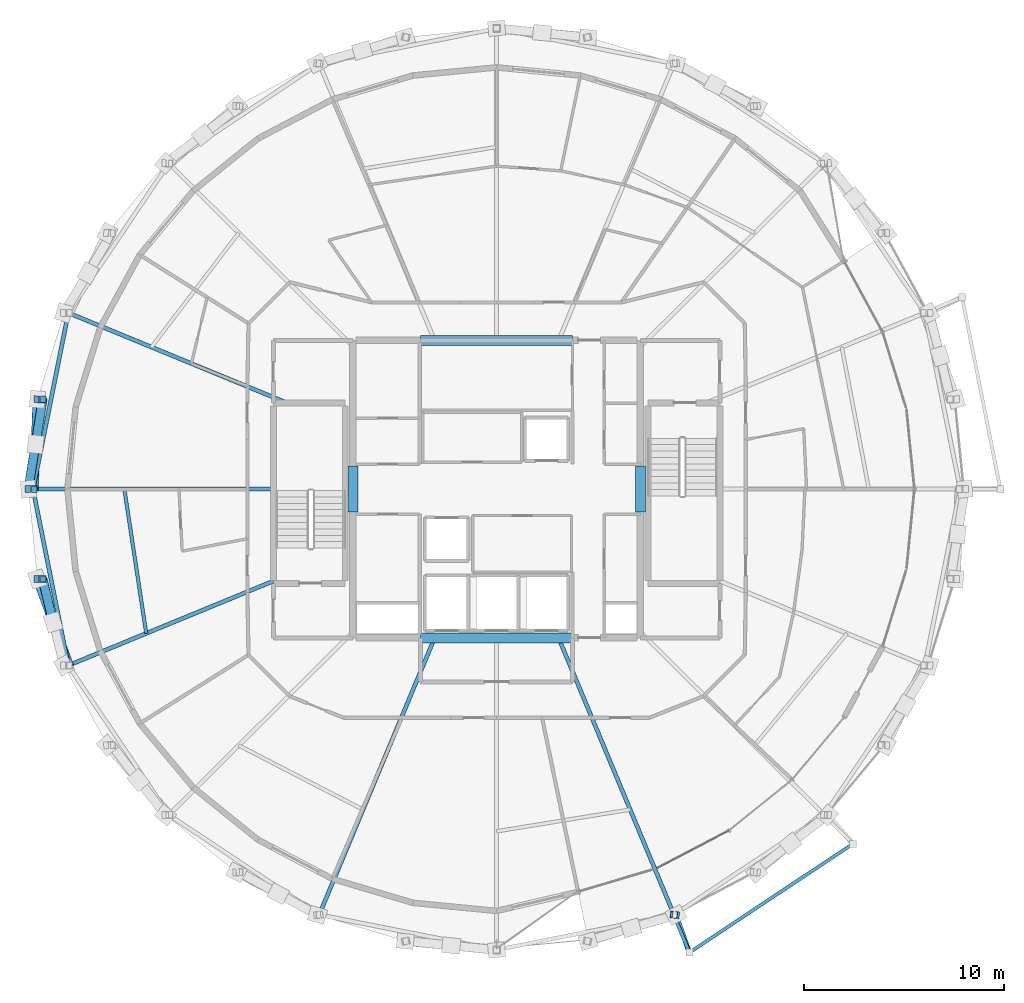
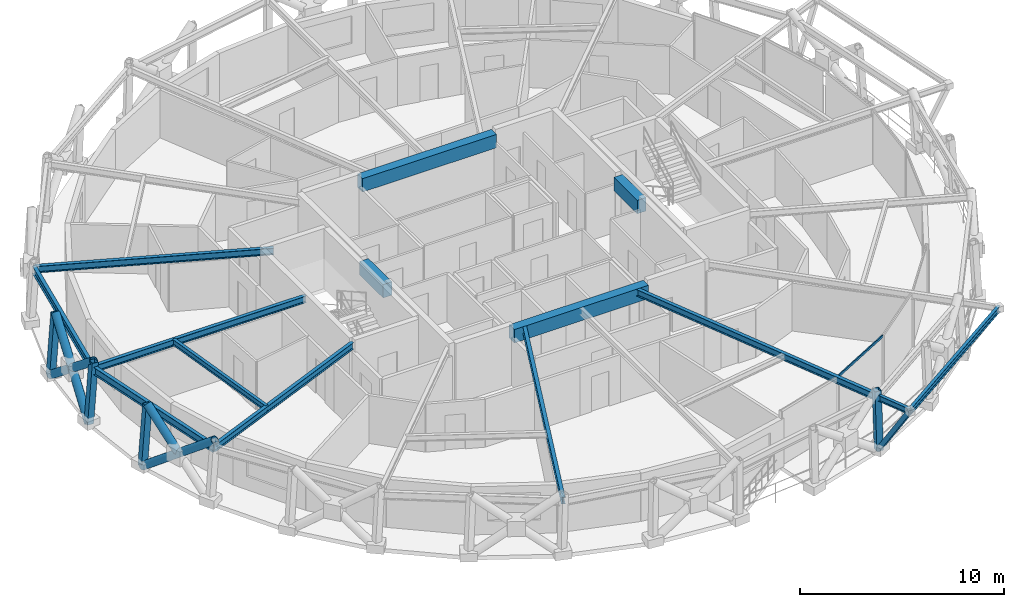
# One storey, part 3 of 18: 14 beams, 11 members, 1 element without a shape of its own.
"""IFC4 building model written with IfcOpenShell, lengths in metres."""

from ifc_helpers import new_model, si_unit, direction, frame, origin, origin_2d, place, context, subcontext, project, spatial, rectangle, hollow_rectangle, hollow_circle, i_section, extrude, material, layer, layer_set, material_profile, profile_set, type_object, element, aggregate, save


model = new_model("IFC4")

# Units and contexts
model_context = context("Model", 3, precision=1e-05, world=origin(), true_north=direction((0.0, 1.0)))
body_context = subcontext(model_context, "Body", "Model", "MODEL_VIEW")
ifc_project = project(units=[si_unit("LENGTHUNIT", "METRE"), si_unit("AREAUNIT", "SQUARE_METRE"), si_unit("VOLUMEUNIT", "CUBIC_METRE"), si_unit("PLANEANGLEUNIT", "RADIAN"), si_unit("MASSUNIT", "GRAM", prefix="KILO")], contexts=[model_context])

# Site, building, storey
site_placement = place(None, origin())
site = spatial("IfcSite", under=ifc_project, at=site_placement, CompositionType="ELEMENT")
building_placement = place(site_placement, origin())
building = spatial("IfcBuilding", under=site, at=building_placement, Name="Veldorina Hangang Commons", CompositionType="ELEMENT")
storey_placement = place(building_placement, frame((0.0, 0.0, 243.60009765625)))
storey = spatial("IfcBuildingStorey", under=building, at=storey_placement, Name="L63", CompositionType="ELEMENT", Elevation=243.60009765625)

# Beams
ifc_material_1 = material(Name="Concrete C50/60", Category="concrete")
ifc_material_profile_1 = material_profile(ifc_material_1, rectangle(XDim=0.5, YDim=0.800048828125, at=origin_2d()), Name="RC-CB-500x800")
ifc_profile_set_1 = profile_set([ifc_material_profile_1], Name="Concrete C50/60")
beam_type_1 = type_object("IfcBeamType", Name="BM-CB800", PredefinedType="LINTEL", material=ifc_profile_set_1)
for number, where, z_axis, x_axis, name in (
    (1, (24.800048828125, 22.85009765625, 2.9599609375), (0.0, 1.0, 0.0), (-1.0, 0.0, 0.0), "L63 W core coupling lintel beam"),
    (2, (39.199951171875, 22.85009765625, 2.9599609375), (0.0, 1.0, 0.0), (-1.0, 0.0, 0.0), "L63 E core coupling lintel beam"),
):
    element("IfcBeam", number, at=place(storey_placement, frame(where, z_axis=z_axis, x_axis=x_axis)), inside=storey, type_object=beam_type_1, Name=name, PredefinedType="LINTEL", context=body_context, shape_type="SweptSolid", body=[
        extrude(rectangle(XDim=0.5, YDim=0.800048828125, at=origin_2d()), origin(), (0.0, 0.0, 1.0), 2.2998046875),
    ])
for number, where, z_axis, x_axis, name in (
    (3, (28.199951171875, 16.550048828125, 2.9599609375), (1.0, 0.0, 0.0), (0.0, 1.0, 0.0), "L63 south core coupling beam"),
    (4, (28.199951171875, 31.449951171875, 2.9599609375), (1.0, 0.0, 0.0), (0.0, 1.0, 0.0), "L63 north core coupling beam"),
):
    element("IfcBeam", number, at=place(storey_placement, frame(where, z_axis=z_axis, x_axis=x_axis)), inside=storey, type_object=beam_type_1, Name=name, PredefinedType="LINTEL", context=body_context, shape_type="SweptSolid", body=[
        extrude(rectangle(XDim=0.5, YDim=0.800048828125, at=origin_2d()), origin(), (0.0, 0.0, 1.0), 7.60009765625),
    ])
ifc_material_2 = material(Name="Steel SM355-TMC", Category="steel")
ifc_material_profile_2 = material_profile(ifc_material_2, i_section(OverallWidth=0.175048828125, OverallDepth=0.35009765625, WebThickness=0.007080078125, FlangeThickness=0.010986328125, FilletRadius=0.012939453125, at=origin_2d()), Name="H-350x175x7x11")
ifc_profile_set_2 = profile_set([ifc_material_profile_2], Name="Steel SM355-TMC")
beam_type_2 = type_object("IfcBeamType", Name="BM-FG350", PredefinedType="BEAM", material=ifc_profile_set_2)
beam_1_placement = place(storey_placement, frame((40.87060546875, 2.686279296875, 3.184814453125), z_axis=(0.382677881343, -0.923881831801, 0.0), x_axis=(0.923881831801, 0.382677881343, 0.0)))
element("IfcBeam", 5, at=beam_1_placement, inside=storey, type_object=beam_type_2, Name="L64 tree balcony 1 bracket beam A", PredefinedType="BEAM", context=body_context, shape_type="SweptSolid", body=[
    extrude(i_section(OverallWidth=0.175048828125, OverallDepth=0.35009765625, WebThickness=0.007080078125, FlangeThickness=0.010986328125, FilletRadius=0.012939453125, at=origin_2d()), origin(), (0.0, 0.0, 1.0), 2.0498046875),
])
beam_2_placement = place(storey_placement, frame((41.655029296875, 0.79248046875, 3.184814453125), z_axis=(0.832584793727, 0.553897608999, 0.0), x_axis=(-0.553897608999, 0.832584793727, 0.0)))
element("IfcBeam", 6, at=beam_2_placement, inside=storey, type_object=beam_type_2, Name="L64 tree balcony 1 outer rim beam", PredefinedType="BEAM", context=body_context, shape_type="SweptSolid", body=[
    extrude(i_section(OverallWidth=0.175048828125, OverallDepth=0.35009765625, WebThickness=0.007080078125, FlangeThickness=0.010986328125, FilletRadius=0.012939453125, at=origin_2d()), origin(), (0.0, 0.0, 1.0), 9.830810546875),
])
ifc_material_profile_3 = material_profile(ifc_material_2, i_section(OverallWidth=0.199951171875, OverallDepth=0.39990234375, WebThickness=0.008056640625, FlangeThickness=0.012939453125, FilletRadius=0.012939453125, at=origin_2d()), Name="H-400x200x8x13")
ifc_profile_set_3 = profile_set([ifc_material_profile_3], Name="Steel SM355-TMC")
beam_type_3 = type_object("IfcBeamType", Name="BM-FG400", PredefinedType="BEAM", material=ifc_profile_set_3)
beam_3_placement = place(storey_placement, frame((21.505615234375, 28.320068359375, 3.159912109375), z_axis=(-0.92471608327, 0.380657543394, 0.0), x_axis=(-0.380657543394, -0.92471608327, 0.0)))
element("IfcBeam", 7, at=beam_3_placement, inside=storey, type_object=beam_type_3, Name="L63 radial floor girder 08", PredefinedType="BEAM", context=body_context, shape_type="SweptSolid", body=[
    extrude(i_section(OverallWidth=0.199951171875, OverallDepth=0.39990234375, WebThickness=0.008056640625, FlangeThickness=0.012939453125, FilletRadius=0.012939453125, at=origin_2d()), origin(), (0.0, 0.0, 1.0), 11.845458984375),
])
beam_4_placement = place(storey_placement, frame((20.820068359375, 24.0, 3.159912109375), z_axis=(-1.0, 0.0, 0.0), x_axis=(0.0, -1.0, 0.0)))
element("IfcBeam", 8, at=beam_4_placement, inside=storey, type_object=beam_type_3, Name="L63 radial floor girder 09", PredefinedType="BEAM", context=body_context, shape_type="SweptSolid", body=[
    extrude(i_section(OverallWidth=0.199951171875, OverallDepth=0.39990234375, WebThickness=0.008056640625, FlangeThickness=0.012939453125, FilletRadius=0.012939453125, at=origin_2d()), origin(), (0.0, 0.0, 1.0), 12.03515625),
])
beam_5_placement = place(storey_placement, frame((20.820068359375, 19.397705078125, 3.159912109375), z_axis=(-0.924716798102, -0.380655806875, 0.0), x_axis=(0.380655806875, -0.924716798102, 0.0)))
element("IfcBeam", 9, at=beam_5_placement, inside=storey, type_object=beam_type_3, Name="L63 radial floor girder 10", PredefinedType="BEAM", context=body_context, shape_type="SweptSolid", body=[
    extrude(i_section(OverallWidth=0.199951171875, OverallDepth=0.39990234375, WebThickness=0.008056640625, FlangeThickness=0.012939453125, FilletRadius=0.012939453125, at=origin_2d()), origin(), (0.0, 0.0, 1.0), 11.10400390625),
])
for number, where, z_axis, x_axis, name in (
    (10, (28.89501953125, 16.550048828125, 3.159912109375), (-0.384727326273, -0.923030272753, 0.0), (0.923030272753, -0.384727326273, 0.0), "L63 radial floor girder 12"),
    (11, (35.10498046875, 16.550048828125, 3.159912109375), (0.384727326273, -0.923030272753, 0.0), (0.923030272753, 0.384727326273, 0.0), "L63 radial floor girder 14"),
):
    element("IfcBeam", number, at=place(storey_placement, frame(where, z_axis=z_axis, x_axis=x_axis)), inside=storey, type_object=beam_type_3, Name=name, PredefinedType="BEAM", context=body_context, shape_type="SweptSolid", body=[
        extrude(i_section(OverallWidth=0.199951171875, OverallDepth=0.39990234375, WebThickness=0.008056640625, FlangeThickness=0.012939453125, FilletRadius=0.012939453125, at=origin_2d()), origin(), (0.0, 0.0, 1.0), 15.021240234375),
    ])
ifc_material_profile_4 = material_profile(ifc_material_2, i_section(OverallWidth=0.175048828125, OverallDepth=0.35009765625, WebThickness=0.007080078125, FlangeThickness=0.010986328125, FilletRadius=0.012939453125, at=origin_2d()), Name="H-350x175x7x11")
ifc_profile_set_4 = profile_set([ifc_material_profile_4], Name="Steel SM355-TMC")
beam_type_4 = type_object("IfcBeamType", Name="BM-JST350", PredefinedType="JOIST", material=ifc_profile_set_4)
beam_6_placement = place(storey_placement, frame((13.358154296875, 24.0, 3.184814453125), z_axis=(0.149982579484, -0.988688639487, 0.0), x_axis=(0.988688639487, 0.149982579484, 0.0)))
element("IfcBeam", 12, at=beam_6_placement, inside=storey, type_object=beam_type_4, Name="L63 secondary floor joist 09", PredefinedType="JOIST", context=body_context, shape_type="SweptSolid", body=[
    extrude(i_section(OverallWidth=0.175048828125, OverallDepth=0.35009765625, WebThickness=0.007080078125, FlangeThickness=0.010986328125, FilletRadius=0.012939453125, at=origin_2d()), origin(), (0.0, 0.0, 1.0), 7.305419921875),
])
ifc_material_profile_5 = material_profile(ifc_material_2, i_section(OverallWidth=0.199951171875, OverallDepth=0.449951171875, WebThickness=0.009033203125, FlangeThickness=0.013916015625, FilletRadius=0.01611328125, at=origin_2d()), Name="H-450x200x9x14")
ifc_profile_set_5 = profile_set([ifc_material_profile_5], Name="Steel SM355-TMC")
beam_type_5 = type_object("IfcBeamType", Name="BM-RB450", PredefinedType="BEAM", material=ifc_profile_set_5)
for number, where, z_axis, x_axis, name in (
    (13, (10.552001953125, 32.8291015625, 3.135009765625), (-0.196251703659, -0.98055355224, 0.0), (0.98055355224, -0.196251703659, 0.0), "L63 perimeter hoop ring beam 14"),
    (14, (8.784912109375, 24.0, 3.135009765625), (0.196251703659, -0.98055355224, 0.0), (0.98055355224, 0.196251703659, 0.0), "L63 perimeter hoop ring beam 16"),
):
    element("IfcBeam", number, at=place(storey_placement, frame(where, z_axis=z_axis, x_axis=x_axis)), inside=storey, type_object=beam_type_5, Name=name, PredefinedType="BEAM", context=body_context, shape_type="SweptSolid", body=[
        extrude(i_section(OverallWidth=0.199951171875, OverallDepth=0.449951171875, WebThickness=0.009033203125, FlangeThickness=0.013916015625, FilletRadius=0.01611328125, at=origin_2d()), origin(), (0.0, 0.0, 1.0), 9.004150390625),
    ])

# Curtain wall, member
ifc_material_3 = material(Name="Glass Low-E Selective", Category="glass")
ifc_layer = layer(ifc_material_3, 0.179931640625)
ifc_layer_set = layer_set([ifc_layer], Name="Glass Low-E Selective")
curtain_wall_type = type_object("IfcCurtainWallType", Name="CW-SYS-Z3", PredefinedType="NOTDEFINED", material=ifc_layer_set)
curtain_wall_placement = place(storey_placement, origin())
curtain_wall = element("IfcCurtainWall", 15, at=curtain_wall_placement, inside=storey, type_object=curtain_wall_type, Name="L63 unitised curtain wall CW-L63-R1", PredefinedType="NOTDEFINED")
ifc_material_4 = material(Name="Aluminium Anodized AA6063-T6", Category="aluminium")
ifc_material_profile_6 = material_profile(ifc_material_4, hollow_rectangle(XDim=0.06005859375, YDim=0.139892578125, WallThickness=0.00341796875, at=origin_2d()), Name="ALU-RHS-140x60x3.5")
ifc_profile_set_6 = profile_set([ifc_material_profile_6], Name="Aluminium Anodized AA6063-T6")
member_type_1 = type_object("IfcMemberType", Name="CW-TRN-140", PredefinedType="USERDEFINED", material=ifc_profile_set_6)
member_1_placement = place(storey_placement, frame((40.0107421875, 5.00341796875, 3.27978515625), z_axis=(0.885388070127, 0.464852627482, 0.0), x_axis=(-0.464852627482, 0.885388070127, 0.0)))
member_1 = element("IfcMember", 16, at=member_1_placement, type_object=member_type_1, Name="CW-L63-R1 facet 2 transom 1", ObjectType="TRANSOM", PredefinedType="USERDEFINED", context=body_context, shape_type="SweptSolid", body=[
    extrude(hollow_rectangle(XDim=0.06005859375, YDim=0.139892578125, WallThickness=0.00341796875, at=origin_2d()), origin(), (0.0, 0.0, 1.0), 4.087646484375),
])
aggregate(curtain_wall, [member_1])

# Members
ifc_material_profile_7 = material_profile(ifc_material_2, hollow_circle(Radius=0.22509765625, WallThickness=0.02197265625, at=origin_2d()), Name="CHS-450x22")
ifc_profile_set_7 = profile_set([ifc_material_profile_7], Name="Steel SM355-TMC")
member_type_2 = type_object("IfcMemberType", Name="DG-CHS450", PredefinedType="BRACE", material=ifc_profile_set_7)
member_2_placement = place(storey_placement, frame((8.997314453125, 28.5029296875, 0.0), z_axis=(-0.030688348606, -0.780711588544, 0.624137517517), x_axis=(0.999228327783, -0.039277843073, 0.0)))
element("IfcMember", 17, at=member_2_placement, inside=storey, type_object=member_type_2, Name="L63 continuous perimeter diagrid brace 15", PredefinedType="BRACE", context=body_context, shape_type="SweptSolid", body=[
    extrude(hollow_circle(Radius=0.22509765625, WallThickness=0.02197265625, at=origin_2d()), origin(), (0.0, 0.0, 1.0), 5.767822265625),
])
member_3_placement = place(storey_placement, frame((8.546875, 24.0, 0.0), z_axis=(0.124552368048, 0.774796410957, 0.619820320079), x_axis=(-0.98732407853, 0.158717245296, 0.0)))
element("IfcMember", 18, at=member_3_placement, inside=storey, type_object=member_type_2, Name="L63 split perimeter diagrid lower brace 16", PredefinedType="BRACE", context=body_context, shape_type="SweptSolid", body=[
    extrude(hollow_circle(Radius=0.22509765625, WallThickness=0.02197265625, at=origin_2d()), origin(), (0.0, 0.0, 1.0), 2.905029296875),
])
member_4_placement = place(storey_placement, frame((8.90869140625, 26.250732421875, 1.800537109375), z_axis=(0.122953122131, 0.775058805442, 0.619811566418), x_axis=(-0.987649746593, 0.156677943741, 0.0)))
element("IfcMember", 19, at=member_4_placement, inside=storey, type_object=member_type_2, Name="L63 split perimeter diagrid upper brace 16", PredefinedType="BRACE", context=body_context, shape_type="SweptSolid", body=[
    extrude(hollow_circle(Radius=0.22509765625, WallThickness=0.02197265625, at=origin_2d()), origin(), (0.0, 0.0, 1.0), 2.903076171875),
])
member_5_placement = place(storey_placement, frame((8.997314453125, 19.4970703125, 0.0), z_axis=(0.271486841499, -0.739761976445, 0.615668021826), x_axis=(0.938777516237, 0.344523983212, 0.0)))
element("IfcMember", 20, at=member_5_placement, inside=storey, type_object=member_type_2, Name="L63 continuous perimeter diagrid brace 17", PredefinedType="BRACE", context=body_context, shape_type="SweptSolid", body=[
    extrude(hollow_circle(Radius=0.22509765625, WallThickness=0.02197265625, at=origin_2d()), origin(), (0.0, 0.0, 1.0), 5.84716796875),
])
member_6_placement = place(storey_placement, frame((9.79150390625, 17.332763671875, 1.80126953125), z_axis=(-0.183586766665, 0.75633656796, 0.627894015795), x_axis=(-0.97178168107, -0.23588209838, 0.0)))
element("IfcMember", 21, at=member_6_placement, inside=storey, type_object=member_type_2, Name="L63 split perimeter diagrid upper brace 18", PredefinedType="BRACE", context=body_context, shape_type="SweptSolid", body=[
    extrude(hollow_circle(Radius=0.22509765625, WallThickness=0.02197265625, at=origin_2d()), origin(), (0.0, 0.0, 1.0), 2.864501953125),
])
ifc_material_profile_8 = material_profile(ifc_material_2, hollow_rectangle(XDim=0.25, YDim=0.25, WallThickness=0.011962890625, at=origin_2d()), Name="SHS-250x250x12")
ifc_profile_set_8 = profile_set([ifc_material_profile_8], Name="Steel SM355-TMC")
member_type_3 = type_object("IfcMemberType", Name="STR-SHS250", PredefinedType="STRUT", material=ifc_profile_set_8)
member_7_placement = place(storey_placement, frame((40.97509765625, 2.67529296875, 0.0), z_axis=(0.180751504431, -0.500522657872, 0.846643940864), x_axis=(0.940549570687, 0.339656451551, 0.0)))
element("IfcMember", 22, at=member_7_placement, inside=storey, type_object=member_type_3, Name="L64 tree balcony 1 raking knee strut A", PredefinedType="STRUT", context=body_context, shape_type="SweptSolid", body=[
    extrude(hollow_rectangle(XDim=0.25, YDim=0.25, WallThickness=0.011962890625, at=origin_2d()), origin(), (0.0, 0.0, 1.0), 3.76171875),
])
ifc_material_profile_9 = material_profile(ifc_material_2, hollow_rectangle(XDim=0.35009765625, YDim=0.35009765625, WallThickness=0.01611328125, at=origin_2d()), Name="SHS-350x350x16")
ifc_profile_set_9 = profile_set([ifc_material_profile_9], Name="Steel SM355-TMC")
member_type_4 = type_object("IfcMemberType", Name="STR-SHS350", PredefinedType="STRUT", material=ifc_profile_set_9)
member_8_placement = place(storey_placement, frame((8.997314453125, 28.5029296875, 0.0), z_axis=(0.074327557241, -0.000608687912, 0.997233695647), x_axis=(0.008188988378, 0.999966469673, 0.0)))
element("IfcMember", 23, at=member_8_placement, inside=storey, type_object=member_type_4, Name="L63 perimeter ring node post 15", PredefinedType="STRUT", context=body_context, shape_type="SweptSolid", body=[
    extrude(hollow_rectangle(XDim=0.35009765625, YDim=0.35009765625, WallThickness=0.01611328125, at=origin_2d()), origin(), (0.0, 0.0, 1.0), 3.60986328125),
])
member_9_placement = place(storey_placement, frame((8.546875, 24.0, 0.0), z_axis=(0.07573977161, 0.0, 0.99712761821), x_axis=(0.0, 1.0, 0.0)))
element("IfcMember", 24, at=member_9_placement, inside=storey, type_object=member_type_4, Name="L63 perimeter ring node post 16", PredefinedType="STRUT", context=body_context, shape_type="SweptSolid", body=[
    extrude(hollow_rectangle(XDim=0.35009765625, YDim=0.35009765625, WallThickness=0.01611328125, at=origin_2d()), origin(), (0.0, 0.0, 1.0), 3.610107421875),
])
member_10_placement = place(storey_placement, frame((8.997314453125, 19.4970703125, 0.0), z_axis=(0.074327557241, 0.000608687912, 0.997233695647), x_axis=(-0.008188988378, 0.999966469673, 0.0)))
element("IfcMember", 25, at=member_10_placement, inside=storey, type_object=member_type_4, Name="L63 perimeter ring node post 17", PredefinedType="STRUT", context=body_context, shape_type="SweptSolid", body=[
    extrude(hollow_rectangle(XDim=0.35009765625, YDim=0.35009765625, WallThickness=0.01611328125, at=origin_2d()), origin(), (0.0, 0.0, 1.0), 3.60986328125),
])
member_11_placement = place(storey_placement, frame((40.97509765625, 2.67529296875, 0.0), z_axis=(-0.029014433133, 0.003050582923, 0.999574337713), x_axis=(-0.10456382711, -0.994518177843, 0.0)))
element("IfcMember", 26, at=member_11_placement, inside=storey, type_object=member_type_4, Name="L63 perimeter ring node post 26", PredefinedType="STRUT", context=body_context, shape_type="SweptSolid", body=[
    extrude(hollow_rectangle(XDim=0.35009765625, YDim=0.35009765625, WallThickness=0.01611328125, at=origin_2d()), origin(), (0.0, 0.0, 1.0), 3.601318359375),
])

save(model, "model.ifc")
